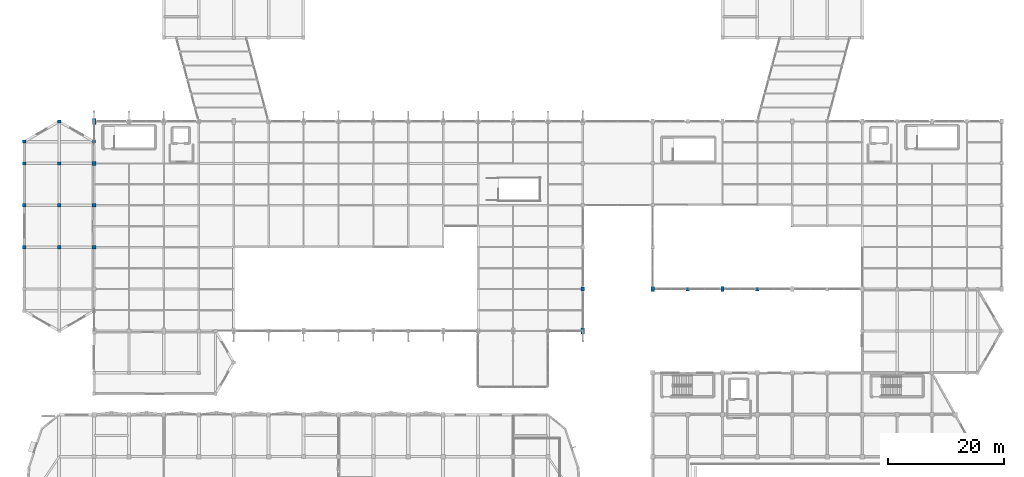
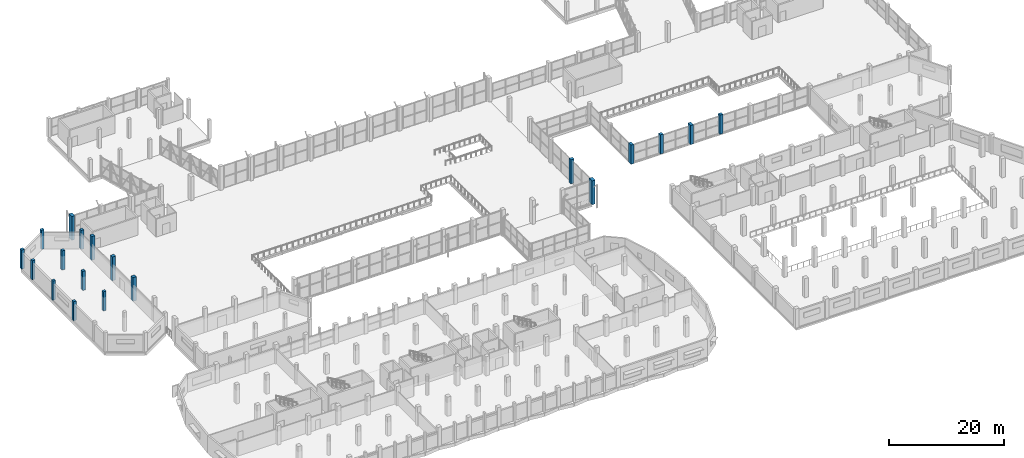
# One storey, part 6 of 127: 19 columns.
"""IFC4 building model written with IfcOpenShell, lengths in metres."""

from ifc_helpers import new_model, si_unit, direction, frame, origin, origin_2d, place, context, subcontext, project, spatial, rectangle, extrude, material, material_profile, profile_set, type_object, element, save


model = new_model("IFC4")

# Units and contexts
model_context = context("Model", 3, precision=1e-05, world=origin(), true_north=direction((0.0, 1.0)))
body_context = subcontext(model_context, "Body", "Model", "MODEL_VIEW")
ifc_project = project(units=[si_unit("LENGTHUNIT", "METRE"), si_unit("AREAUNIT", "SQUARE_METRE"), si_unit("VOLUMEUNIT", "CUBIC_METRE"), si_unit("PLANEANGLEUNIT", "RADIAN"), si_unit("MASSUNIT", "GRAM", prefix="KILO")], contexts=[model_context])

# Site, building, storey
site_placement = place(None, origin())
site = spatial("IfcSite", under=ifc_project, at=site_placement, CompositionType="ELEMENT")
building_placement = place(site_placement, origin())
building = spatial("IfcBuilding", under=site, at=building_placement, Name="Dunvalen Ferry Terminal", CompositionType="ELEMENT")
storey_placement = place(building_placement, frame((0.0, 0.0, 5.760009765625)))
storey = spatial("IfcBuildingStorey", under=building, at=storey_placement, Name="L01", CompositionType="ELEMENT", Elevation=5.760009765625)

# Columns
ifc_material_1 = material(Name="Concrete C40/50", Category="concrete")
ifc_material_profile_1 = material_profile(ifc_material_1, rectangle(XDim=0.60009765625, YDim=1.0, at=origin_2d()), Name="Concrete C40/50")
ifc_profile_set_1 = profile_set([ifc_material_profile_1], Name="Concrete C40/50")
column_type_1 = type_object("IfcColumnType", Name="STR-COL-PIER1000", PredefinedType="COLUMN", material=ifc_profile_set_1)
for number, where, z_axis, x_axis, name in (
    (1, (96.0, 50.39990234375, 0.0), (0.0, 0.0, 1.0), (1.0, 0.0, 0.0), "L01 Departure Hall Upper Pier 15"),
    (2, (12.0, 86.39990234375, 0.0), (0.0, 0.0, 1.0), (1.0, 0.0, 0.0), "L01 Departure Hall Upper Pier 16"),
):
    element("IfcColumn", number, at=place(storey_placement, frame(where, z_axis=z_axis, x_axis=x_axis)), inside=storey, type_object=column_type_1, Name=name, PredefinedType="COLUMN", context=body_context, shape_type="SweptSolid", body=[
        extrude(rectangle(XDim=0.60009765625, YDim=1.0, at=origin_2d()), origin(), (0.0, 0.0, 1.0), 5.080078125),
    ])
ifc_material_profile_2 = material_profile(ifc_material_1, rectangle(XDim=0.550048828125, YDim=0.89990234375, at=origin_2d()), Name="Concrete C40/50")
ifc_profile_set_2 = profile_set([ifc_material_profile_2], Name="Concrete C40/50")
column_type_2 = type_object("IfcColumnType", Name="STR-COL-PIER900", PredefinedType="COLUMN", material=ifc_profile_set_2)
for number, where, z_axis, x_axis, name in (
    (3, (108.0, 57.60009765625, 0.0), (0.0, 0.0, 1.0), (1.0, 0.0, 0.0), "L01 Arrivals Hall Upper Pier 01"),
    (4, (120.0, 57.60009765625, 0.0), (0.0, 0.0, 1.0), (1.0, 0.0, 0.0), "L01 Arrivals Hall Upper Pier 03"),
):
    element("IfcColumn", number, at=place(storey_placement, frame(where, z_axis=z_axis, x_axis=x_axis)), inside=storey, type_object=column_type_2, Name=name, PredefinedType="COLUMN", context=body_context, shape_type="SweptSolid", body=[
        extrude(rectangle(XDim=0.550048828125, YDim=0.89990234375, at=origin_2d()), origin(), (0.0, 0.0, 1.0), 4.080078125),
    ])
ifc_material_2 = material(Name="Concrete C35/45", Category="concrete")
ifc_material_profile_3 = material_profile(ifc_material_2, rectangle(XDim=0.550048828125, YDim=0.550048828125, at=origin_2d()), Name="Concrete C35/45")
ifc_profile_set_3 = profile_set([ifc_material_profile_3], Name="Concrete C35/45")
column_type_3 = type_object("IfcColumnType", Name="STR-COL-RC550", PredefinedType="COLUMN", material=ifc_profile_set_3)
for number, where, z_axis, x_axis, name in (
    (5, (0.0, 64.800048828125, 0.0), (0.0, 0.0, 1.0), (1.0, 0.0, 0.0), "L01 West Baggage Annex Column 03"),
    (6, (0.0, 72.0, 0.0), (0.0, 0.0, 1.0), (1.0, 0.0, 0.0), "L01 West Baggage Annex Column 04"),
    (7, (0.0, 79.199951171875, 0.0), (0.0, 0.0, 1.0), (1.0, 0.0, 0.0), "L01 West Baggage Annex Column 05"),
    (8, (0.0, 82.93603515625, 0.0), (0.0, 0.0, 1.0), (1.0, 0.0, 0.0), "L01 West Baggage Annex Column 06"),
    (9, (6.0, 64.800048828125, 0.0), (0.0, 0.0, 1.0), (1.0, 0.0, 0.0), "L01 West Baggage Annex Column 09"),
    (10, (6.0, 72.0, 0.0), (0.0, 0.0, 1.0), (1.0, 0.0, 0.0), "L01 West Baggage Annex Column 10"),
    (11, (6.0, 79.199951171875, 0.0), (0.0, 0.0, 1.0), (1.0, 0.0, 0.0), "L01 West Baggage Annex Column 11"),
    (12, (6.0, 86.39990234375, 0.0), (0.0, 0.0, 1.0), (1.0, 0.0, 0.0), "L01 West Baggage Annex Column 12"),
    (13, (12.0, 82.93603515625, 0.0), (0.0, 0.0, 1.0), (1.0, 0.0, 0.0), "L01 West Baggage Annex Column 18"),
):
    element("IfcColumn", number, at=place(storey_placement, frame(where, z_axis=z_axis, x_axis=x_axis)), inside=storey, type_object=column_type_3, Name=name, PredefinedType="COLUMN", context=body_context, shape_type="SweptSolid", body=[
        extrude(rectangle(XDim=0.550048828125, YDim=0.550048828125, at=origin_2d()), origin(), (0.0, 0.0, 1.0), 4.080078125),
    ])
ifc_material_profile_4 = material_profile(ifc_material_1, rectangle(XDim=0.60009765625, YDim=0.60009765625, at=origin_2d()), Name="Concrete C40/50")
ifc_profile_set_4 = profile_set([ifc_material_profile_4], Name="Concrete C40/50")
column_type_4 = type_object("IfcColumnType", Name="STR-COL-RC600", PredefinedType="COLUMN", material=ifc_profile_set_4)
for number, where, z_axis, x_axis, name in (
    (14, (114.0, 57.60009765625, 0.0), (0.0, 0.0, 1.0), (1.0, 0.0, 0.0), "L01 Arrivals Hall Upper Pier 02"),
    (15, (126.0, 57.60009765625, 0.0), (0.0, 0.0, 1.0), (1.0, 0.0, 0.0), "L01 Arrivals Hall Upper Pier 04"),
):
    element("IfcColumn", number, at=place(storey_placement, frame(where, z_axis=z_axis, x_axis=x_axis)), inside=storey, type_object=column_type_4, Name=name, PredefinedType="COLUMN", context=body_context, shape_type="SweptSolid", body=[
        extrude(rectangle(XDim=0.60009765625, YDim=0.60009765625, at=origin_2d()), origin(), (0.0, 0.0, 1.0), 4.080078125),
    ])
ifc_material_profile_5 = material_profile(ifc_material_1, rectangle(XDim=0.64990234375, YDim=0.64990234375, at=origin_2d()), Name="Concrete C40/50")
ifc_profile_set_5 = profile_set([ifc_material_profile_5], Name="Concrete C40/50")
column_type_5 = type_object("IfcColumnType", Name="STR-COL-RC650", PredefinedType="COLUMN", material=ifc_profile_set_5)
for number, where, z_axis, x_axis, name in (
    (16, (12.0, 64.800048828125, 0.0), (0.0, 0.0, 1.0), (1.0, 0.0, 0.0), "L01 Departure Hall Upper Pier 32"),
    (17, (12.0, 72.0, 0.0), (0.0, 0.0, 1.0), (1.0, 0.0, 0.0), "L01 Departure Hall Upper Pier 33"),
    (18, (12.0, 79.199951171875, 0.0), (0.0, 0.0, 1.0), (1.0, 0.0, 0.0), "L01 Departure Hall Upper Pier 34"),
    (19, (96.0, 57.60009765625, 0.0), (0.0, 0.0, 1.0), (1.0, 0.0, 0.0), "L01 Departure Hall Upper Pier 35"),
):
    element("IfcColumn", number, at=place(storey_placement, frame(where, z_axis=z_axis, x_axis=x_axis)), inside=storey, type_object=column_type_5, Name=name, PredefinedType="COLUMN", context=body_context, shape_type="SweptSolid", body=[
        extrude(rectangle(XDim=0.64990234375, YDim=0.64990234375, at=origin_2d()), origin(), (0.0, 0.0, 1.0), 5.080078125),
    ])

save(model, "model.ifc")
